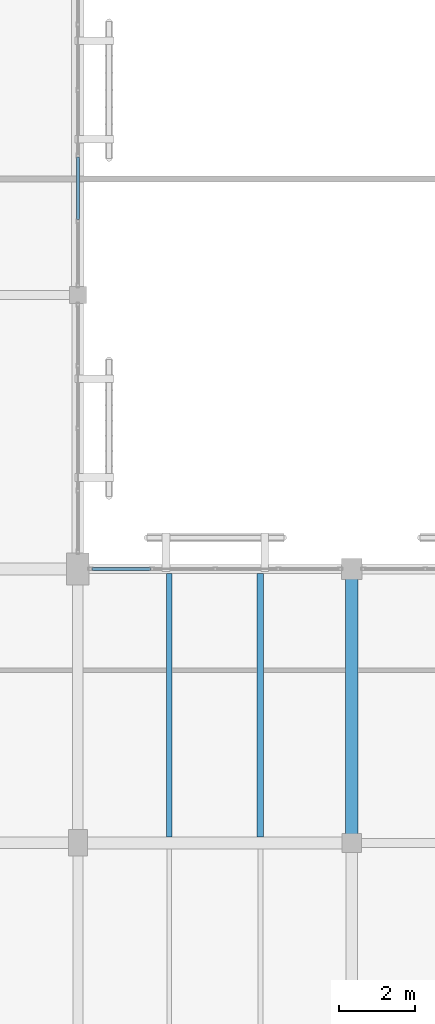
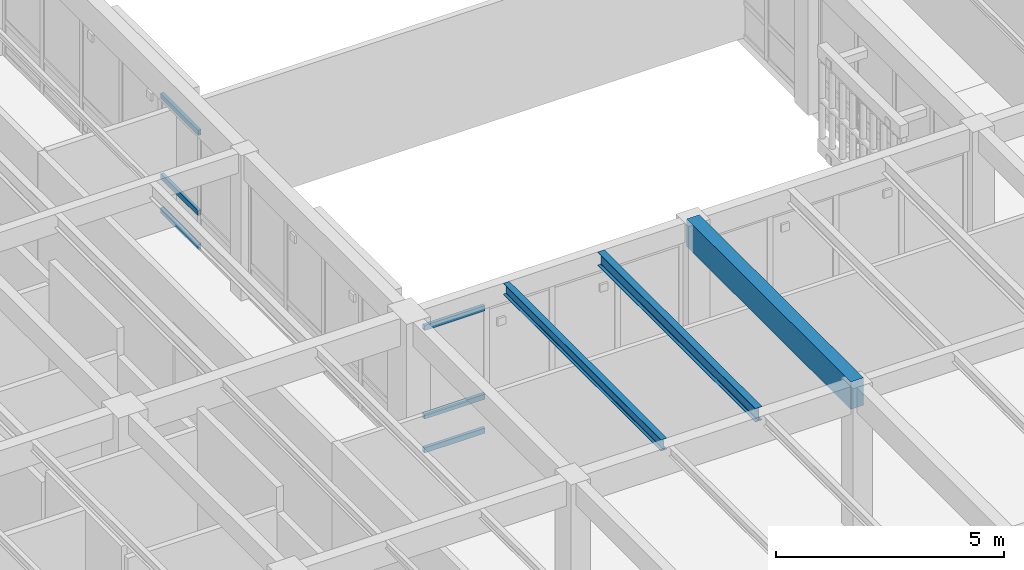
# One storey, part 30 of 170: 6 members, 3 beams, 2 elements without a shape of their own.
"""IFC4 building model written with IfcOpenShell, lengths in metres."""

from ifc_helpers import new_model, si_unit, direction, frame, origin, origin_2d, place, context, subcontext, project, spatial, rectangle, hollow_rectangle, i_section, extrude, material, layer, layer_set, material_profile, profile_set, type_object, element, aggregate, save


model = new_model("IFC4")

# Units and contexts
model_context = context("Model", 3, precision=1e-05, world=origin(), true_north=direction((0.0, 1.0)))
body_context = subcontext(model_context, "Body", "Model", "MODEL_VIEW")
ifc_project = project(units=[si_unit("LENGTHUNIT", "METRE"), si_unit("AREAUNIT", "SQUARE_METRE"), si_unit("VOLUMEUNIT", "CUBIC_METRE"), si_unit("PLANEANGLEUNIT", "RADIAN"), si_unit("MASSUNIT", "GRAM", prefix="KILO")], contexts=[model_context])

# Site, building, storey
site_placement = place(None, origin())
site = spatial("IfcSite", under=ifc_project, at=site_placement, CompositionType="ELEMENT")
building_placement = place(site_placement, origin())
building = spatial("IfcBuilding", under=site, at=building_placement, Name="Mazaris Harbour Polytechnic", CompositionType="ELEMENT")
storey_placement = place(building_placement, frame((0.0, 0.0, 5.39990234375)))
storey = spatial("IfcBuildingStorey", under=building, at=storey_placement, Name="L01", CompositionType="ELEMENT", Elevation=5.39990234375)

# Curtain wall, members
ifc_material_1 = material(Name="Anodised Bronze Aluminium and Low-E Glass", Category="aluminium")
ifc_layer = layer(ifc_material_1, 0.159912109375, Name="Anodised Bronze Aluminium and Low-E Glass")
ifc_layer_set = layer_set([ifc_layer], Name="Anodised Bronze Aluminium and Low-E Glass")
curtain_wall_type = type_object("IfcCurtainWallType", Name="Cloister Court Curtain Wall", PredefinedType="NOTDEFINED", material=ifc_layer_set)
curtain_wall_1_placement = place(storey_placement, origin())
curtain_wall_1 = element("IfcCurtainWall", 1, at=curtain_wall_1_placement, inside=storey, type_object=curtain_wall_type, Name="V4 L01 Curtain Wall 116", PredefinedType="NOTDEFINED")
ifc_material_2 = material(Name="Anodised Bronze Steel S355", Category="steel")
ifc_material_profile_1 = material_profile(ifc_material_2, hollow_rectangle(XDim=0.080078125, YDim=0.139892578125, WallThickness=0.00634765625, at=origin_2d()), Name="RHS 80x140x6.3")
ifc_profile_set_1 = profile_set([ifc_material_profile_1], Name="Anodised Bronze Steel S355")
member_type = type_object("IfcMemberType", Name="Curtain Transom RHS80x140", PredefinedType="USERDEFINED", material=ifc_profile_set_1)
member_1_placement = place(storey_placement, frame((14.77197265625, 36.0, 0.0400390625), z_axis=(1.0, 0.0, 0.0), x_axis=(0.0, 1.0, 0.0)))
member_1 = element("IfcMember", 2, at=member_1_placement, type_object=member_type, Name="CW-02 transom 1.1", ObjectType="TRANSOM", PredefinedType="USERDEFINED", context=body_context, shape_type="SweptSolid", body=[
    extrude(hollow_rectangle(XDim=0.080078125, YDim=0.139892578125, WallThickness=0.00634765625, at=origin_2d()), origin(), (0.0, 0.0, 1.0), 1.540283203125),
])
member_2_placement = place(storey_placement, frame((14.77197265625, 36.0, 0.9501953125), z_axis=(1.0, 0.0, 0.0), x_axis=(0.0, 1.0, 0.0)))
member_2 = element("IfcMember", 3, at=member_2_placement, type_object=member_type, Name="CW-02 transom 1.2", ObjectType="TRANSOM", PredefinedType="USERDEFINED", context=body_context, shape_type="SweptSolid", body=[
    extrude(hollow_rectangle(XDim=0.080078125, YDim=0.139892578125, WallThickness=0.00634765625, at=origin_2d()), origin(), (0.0, 0.0, 1.0), 1.540283203125),
])
member_3_placement = place(storey_placement, frame((14.77197265625, 36.0, 3.320068359375), z_axis=(1.0, 0.0, 0.0), x_axis=(0.0, 1.0, 0.0)))
member_3 = element("IfcMember", 4, at=member_3_placement, type_object=member_type, Name="CW-02 transom 1.3", ObjectType="TRANSOM", PredefinedType="USERDEFINED", context=body_context, shape_type="SweptSolid", body=[
    extrude(hollow_rectangle(XDim=0.080078125, YDim=0.139892578125, WallThickness=0.00634765625, at=origin_2d()), origin(), (0.0, 0.0, 1.0), 1.540283203125),
])
aggregate(curtain_wall_1, [member_1, member_2, member_3])

curtain_wall_2_placement = place(storey_placement, origin())
curtain_wall_2 = element("IfcCurtainWall", 5, at=curtain_wall_2_placement, inside=storey, type_object=curtain_wall_type, Name="V4 L01 Curtain Wall 121", PredefinedType="NOTDEFINED")
member_4_placement = place(storey_placement, frame((14.39990234375, 45.180419921875, 0.0400390625), z_axis=(0.0, 1.0, 0.0), x_axis=(-1.0, 0.0, 0.0)))
member_4 = element("IfcMember", 6, at=member_4_placement, type_object=member_type, Name="CW-02 transom 2.1", ObjectType="TRANSOM", PredefinedType="USERDEFINED", context=body_context, shape_type="SweptSolid", body=[
    extrude(hollow_rectangle(XDim=0.080078125, YDim=0.139892578125, WallThickness=0.00634765625, at=origin_2d()), origin(), (0.0, 0.0, 1.0), 1.6435546875),
])
member_5_placement = place(storey_placement, frame((14.39990234375, 45.180419921875, 0.9501953125), z_axis=(0.0, 1.0, 0.0), x_axis=(-1.0, 0.0, 0.0)))
member_5 = element("IfcMember", 7, at=member_5_placement, type_object=member_type, Name="CW-02 transom 2.2", ObjectType="TRANSOM", PredefinedType="USERDEFINED", context=body_context, shape_type="SweptSolid", body=[
    extrude(hollow_rectangle(XDim=0.080078125, YDim=0.139892578125, WallThickness=0.00634765625, at=origin_2d()), origin(), (0.0, 0.0, 1.0), 1.6435546875),
])
member_6_placement = place(storey_placement, frame((14.39990234375, 45.180419921875, 3.10009765625), z_axis=(0.0, 1.0, 0.0), x_axis=(-1.0, 0.0, 0.0)))
member_6 = element("IfcMember", 8, at=member_6_placement, type_object=member_type, Name="CW-02 transom 2.3", ObjectType="TRANSOM", PredefinedType="USERDEFINED", context=body_context, shape_type="SweptSolid", body=[
    extrude(hollow_rectangle(XDim=0.080078125, YDim=0.139892578125, WallThickness=0.00634765625, at=origin_2d()), origin(), (0.0, 0.0, 1.0), 1.6435546875),
])
aggregate(curtain_wall_2, [member_4, member_5, member_6])

# Beams
ifc_material_3 = material(Name="Glulam GL32h", Category="wood")
ifc_material_profile_2 = material_profile(ifc_material_3, rectangle(XDim=0.320068359375, YDim=0.739990234375, at=origin_2d()), Name="RECT320x740")
ifc_profile_set_2 = profile_set([ifc_material_profile_2], Name="Glulam GL32h")
beam_type_1 = type_object("IfcBeamType", Name="Glulam Girder 320x740", PredefinedType="BEAM", material=ifc_profile_set_2)
beam_1_placement = place(storey_placement, frame((21.60009765625, 28.800048828125, 3.52001953125), z_axis=(0.0, 1.0, 0.0), x_axis=(-1.0, 0.0, 0.0)))
element("IfcBeam", 9, at=beam_1_placement, inside=storey, type_object=beam_type_1, Name="V4 L01 Tie Girder 1734", PredefinedType="BEAM", context=body_context, shape_type="SweptSolid", body=[
    extrude(rectangle(XDim=0.320068359375, YDim=0.739990234375, at=origin_2d()), origin(), (0.0, 0.0, 1.0), 7.199951171875),
])
ifc_material_4 = material(Name="Steel S355", Category="steel")
ifc_material_profile_3 = material_profile(ifc_material_4, i_section(OverallWidth=0.14990234375, OverallDepth=0.300048828125, WebThickness=0.007080078125, FlangeThickness=0.0107421875, FilletRadius=0.014892578125, at=origin_2d()), Name="IPE 300")
ifc_profile_set_3 = profile_set([ifc_material_profile_3], Name="Steel S355")
beam_type_2 = type_object("IfcBeamType", Name="Steel Joist IPE300", PredefinedType="JOIST", material=ifc_profile_set_3)
beam_2_placement = place(storey_placement, frame((16.800048828125, 28.9599609375, 3.739990234375), z_axis=(0.0, 1.0, 0.0), x_axis=(-1.0, 0.0, 0.0)))
element("IfcBeam", 10, at=beam_2_placement, inside=storey, type_object=beam_type_2, Name="V4 L01 Floor Joist 1823", PredefinedType="JOIST", context=body_context, shape_type="SweptSolid", body=[
    extrude(i_section(OverallWidth=0.14990234375, OverallDepth=0.300048828125, WebThickness=0.007080078125, FlangeThickness=0.0107421875, FilletRadius=0.014892578125, at=origin_2d()), origin(), (0.0, 0.0, 1.0), 6.919921875),
])
ifc_material_5 = material(Name="Steel S355", Category="steel")
ifc_material_profile_4 = material_profile(ifc_material_5, i_section(OverallWidth=0.169921875, OverallDepth=0.360107421875, WebThickness=0.008056640625, FlangeThickness=0.0126953125, FilletRadius=0.01806640625, at=origin_2d()), Name="IPE 360")
ifc_profile_set_4 = profile_set([ifc_material_profile_4], Name="Steel S355")
beam_type_3 = type_object("IfcBeamType", Name="Steel Joist IPE360", PredefinedType="JOIST", material=ifc_profile_set_4)
beam_3_placement = place(storey_placement, frame((19.199951171875, 28.9599609375, 3.710205078125), z_axis=(0.0, 1.0, 0.0), x_axis=(-1.0, 0.0, 0.0)))
element("IfcBeam", 11, at=beam_3_placement, inside=storey, type_object=beam_type_3, Name="V4 L01 Floor Joist 1824", PredefinedType="JOIST", context=body_context, shape_type="SweptSolid", body=[
    extrude(i_section(OverallWidth=0.169921875, OverallDepth=0.360107421875, WebThickness=0.008056640625, FlangeThickness=0.0126953125, FilletRadius=0.01806640625, at=origin_2d()), origin(), (0.0, 0.0, 1.0), 6.919921875),
])

save(model, "model.ifc")
